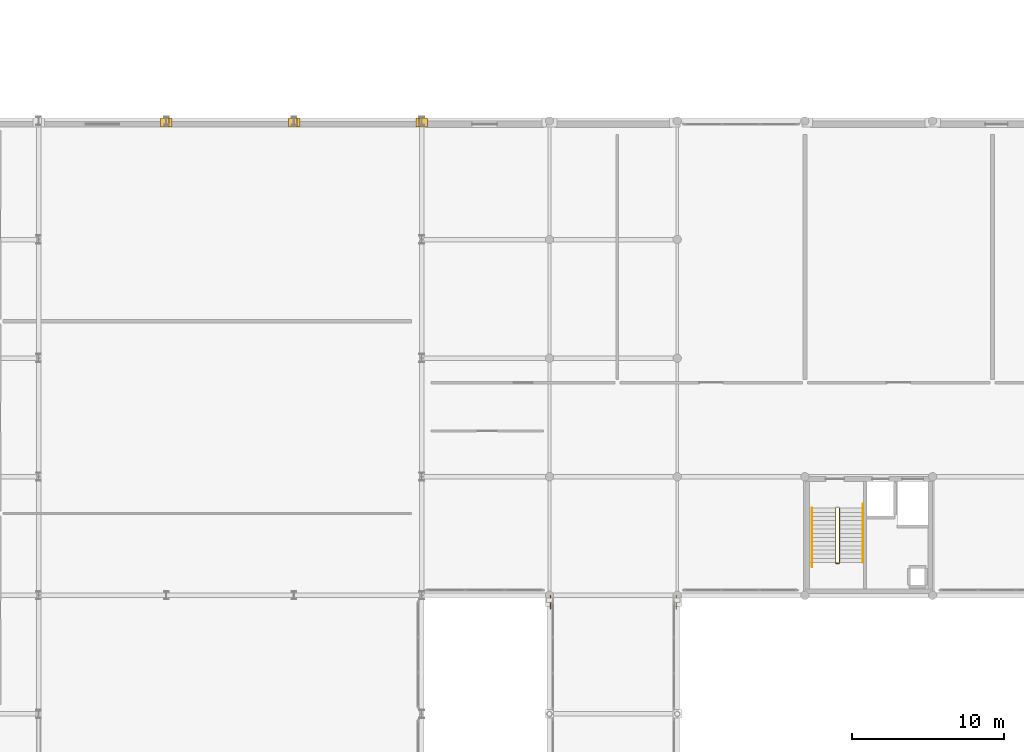
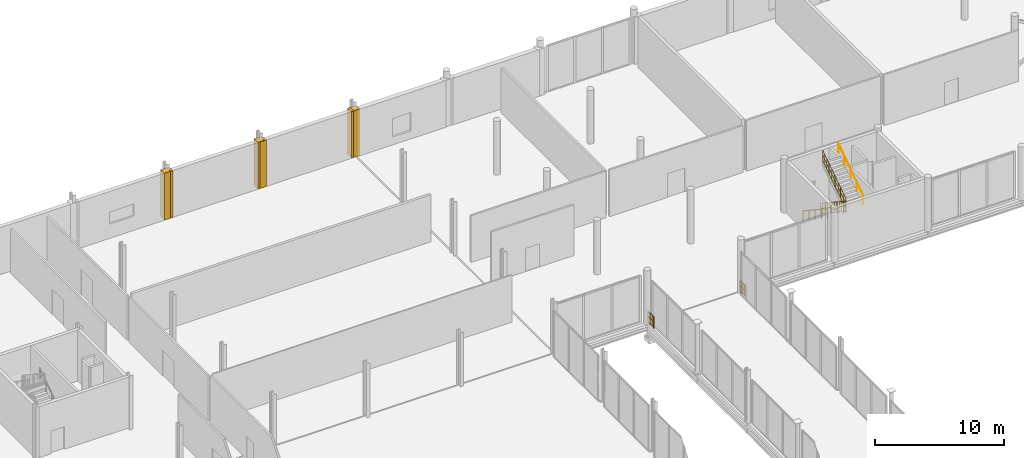
# One storey, part 100 of 105: 7 railings, 6 coverings.
"""IFC4 building model written with IfcOpenShell, lengths in metres."""

from ifc_helpers import new_model, si_unit, direction, frame, origin, origin_2d, place, context, subcontext, project, spatial, polyline, circle, outline, extrude, material, layer, layer_set, type_object, element, save


model = new_model("IFC4")

# Units and contexts
model_context = context("Model", 3, precision=1e-05, world=origin(), true_north=direction((0.0, 1.0)))
body_context = subcontext(model_context, "Body", "Model", "MODEL_VIEW")
ifc_project = project(units=[si_unit("LENGTHUNIT", "METRE"), si_unit("AREAUNIT", "SQUARE_METRE"), si_unit("VOLUMEUNIT", "CUBIC_METRE"), si_unit("PLANEANGLEUNIT", "RADIAN"), si_unit("MASSUNIT", "GRAM", prefix="KILO")], contexts=[model_context])

# Site, building, storey
site_placement = place(None, origin())
site = spatial("IfcSite", under=ifc_project, at=site_placement, CompositionType="ELEMENT")
building_placement = place(site_placement, origin())
building = spatial("IfcBuilding", under=site, at=building_placement, Name="Nabrawat Pavilion Hospital", CompositionType="ELEMENT")
storey_placement = place(building_placement, frame((0.0, 0.0, 5.10009765625)))
storey = spatial("IfcBuildingStorey", under=building, at=storey_placement, Name="L01", CompositionType="ELEMENT", Elevation=5.10009765625)

# Coverings
ifc_material_1 = material(Name="Precast concrete C40/50", Category="concrete")
ifc_layer_1 = layer(ifc_material_1, 0.360107421875, Name="Precast concrete C40/50")
ifc_layer_set_1 = layer_set([ifc_layer_1], Name="Precast concrete C40/50")
covering_type = type_object("IfcCoveringType", Name="Architectural Precast Column-Jamb Closure Reveal", PredefinedType="CLADDING", material=ifc_layer_set_1)
covering_1_placement = place(storey_placement, origin())
element("IfcCovering", 1, at=covering_1_placement, inside=storey, type_object=covering_type, Name="L01 Precast Facade Column-Jamb Weatherseal Closure 0216", PredefinedType="CLADDING", context=body_context, shape_type="SweptSolid", body=[
    extrude(outline(polyline([(42.179931640625, 116.60009765625), (42.179931640625, 117.179931640625), (41.6201171875, 117.179931640625), (41.6201171875, 116.60009765625), (42.179931640625, 116.60009765625)])), origin(), (0.0, 0.0, 1.0), 4.449951171875),
])
covering_2_placement = place(storey_placement, origin())
element("IfcCovering", 2, at=covering_2_placement, inside=storey, type_object=covering_type, Name="L01 Precast Facade Column-Jamb Weatherseal Closure 0217", PredefinedType="CLADDING", context=body_context, shape_type="SweptSolid", body=[
    extrude(outline(polyline([(42.3798828125, 116.60009765625), (42.3798828125, 117.179931640625), (41.820068359375, 117.179931640625), (41.820068359375, 116.60009765625), (42.3798828125, 116.60009765625)])), origin(), (0.0, 0.0, 1.0), 4.449951171875),
])
covering_3_placement = place(storey_placement, origin())
element("IfcCovering", 3, at=covering_3_placement, inside=storey, type_object=covering_type, Name="L01 Precast Facade Column-Jamb Weatherseal Closure 0218", PredefinedType="CLADDING", context=body_context, shape_type="SweptSolid", body=[
    extrude(outline(polyline([(50.580078125, 116.60009765625), (50.580078125, 117.179931640625), (50.02001953125, 117.179931640625), (50.02001953125, 116.60009765625), (50.580078125, 116.60009765625)])), origin(), (0.0, 0.0, 1.0), 4.449951171875),
])
covering_4_placement = place(storey_placement, origin())
element("IfcCovering", 4, at=covering_4_placement, inside=storey, type_object=covering_type, Name="L01 Precast Facade Column-Jamb Weatherseal Closure 0219", PredefinedType="CLADDING", context=body_context, shape_type="SweptSolid", body=[
    extrude(outline(polyline([(50.780029296875, 116.60009765625), (50.780029296875, 117.179931640625), (50.219970703125, 117.179931640625), (50.219970703125, 116.60009765625), (50.780029296875, 116.60009765625)])), origin(), (0.0, 0.0, 1.0), 4.419921875),
])
covering_5_placement = place(storey_placement, origin())
element("IfcCovering", 5, at=covering_5_placement, inside=storey, type_object=covering_type, Name="L01 Precast Facade Column-Jamb Weatherseal Closure 0220", PredefinedType="CLADDING", context=body_context, shape_type="SweptSolid", body=[
    extrude(outline(polyline([(58.97998046875, 116.60009765625), (58.97998046875, 117.179931640625), (58.419921875, 117.179931640625), (58.419921875, 116.60009765625), (58.97998046875, 116.60009765625)])), origin(), (0.0, 0.0, 1.0), 4.419921875),
])
covering_6_placement = place(storey_placement, origin())
element("IfcCovering", 6, at=covering_6_placement, inside=storey, type_object=covering_type, Name="L01 Precast Facade Column-Jamb Weatherseal Closure 0225", PredefinedType="CLADDING", context=body_context, shape_type="SweptSolid", body=[
    extrude(outline(polyline([(59.179931640625, 116.60009765625), (59.179931640625, 117.179931640625), (58.6201171875, 117.179931640625), (58.6201171875, 116.60009765625), (59.179931640625, 116.60009765625)])), origin(), (0.0, 0.0, 1.0), 4.419921875),
])

# Railings
ifc_material_2 = material(Name="Stainless Steel 316", Category="steel")
ifc_layer_2 = layer(ifc_material_2, 0.070068359375, Name="Stainless Steel 316")
ifc_layer_set_2 = layer_set([ifc_layer_2], Name="Stainless Steel 316")
railing_type_1 = type_object("IfcRailingType", Name="Exterior Clinical Terrace Safety Guardrail 1100", PredefinedType="GUARDRAIL", material=ifc_layer_set_2)
for number, where, name in (
    (7, (67.260009765625, 84.89990234375, 0.0), "L01 Courtyard Seismic Joint Corner Guardrail 06"),
    (8, (75.5400390625, 84.89990234375, 0.0), "L01 Courtyard Seismic Joint Corner Guardrail 07"),
):
    element("IfcRailing", number, at=place(storey_placement, frame(where)), inside=storey, type_object=railing_type_1, Name=name, PredefinedType="GUARDRAIL", context=body_context, shape_type="SweptSolid", body=[
        extrude(circle(Radius=0.02392578125, at=origin_2d()), frame((0.0, 0.0, 1.09619140625), z_axis=(0.0, 1.0, 0.0), x_axis=(-1.0, 0.0, 0.0)), (0.0, 0.0, 1.0), 0.900146484375),
        extrude(circle(Radius=0.02392578125, at=origin_2d()), frame((0.0, 0.0, 0.10009765625), z_axis=(0.0, 1.0, 0.0), x_axis=(-1.0, 0.0, 0.0)), (0.0, 0.0, 1.0), 0.900146484375),
        extrude(circle(Radius=0.02392578125, at=origin_2d()), frame((0.0, 0.0, 0.615966796875), z_axis=(0.0, 1.0, 0.0), x_axis=(-1.0, 0.0, 0.0)), (0.0, 0.0, 1.0), 0.900146484375),
        extrude(circle(Radius=0.008056640625, at=origin_2d()), frame((0.0, 0.22509765625, 0.10009765625)), (0.0, 0.0, 1.0), 0.971923828125),
        extrude(circle(Radius=0.008056640625, at=origin_2d()), frame((0.0, 0.4501953125, 0.10009765625)), (0.0, 0.0, 1.0), 0.971923828125),
        extrude(circle(Radius=0.008056640625, at=origin_2d()), frame((0.0, 0.675048828125, 0.10009765625)), (0.0, 0.0, 1.0), 0.971923828125),
        extrude(circle(Radius=0.02099609375, at=origin_2d()), origin(), (0.0, 0.0, 1.0), 1.072021484375),
        extrude(circle(Radius=0.02099609375, at=origin_2d()), frame((0.0, 0.900146484375, 0.0)), (0.0, 0.0, 1.0), 1.072021484375),
    ])
ifc_layer_3 = layer(ifc_material_2, 0.050048828125, Name="Stainless Steel 316")
ifc_layer_set_3 = layer_set([ifc_layer_3], Name="Stainless Steel 316")
railing_type_2 = type_object("IfcRailingType", Name="Stair Open-Well Safety Guardrail 1100", PredefinedType="GUARDRAIL", material=ifc_layer_set_3)
railing_1_placement = place(storey_placement, frame((86.02490234375, 91.530029296875, 0.18212890625)))
element("IfcRailing", 9, at=railing_1_placement, inside=storey, type_object=railing_type_2, Name="L01 ST-03 stair guard 1", PredefinedType="GUARDRAIL", context=body_context, shape_type="SweptSolid", body=[
    extrude(circle(Radius=0.02392578125, at=origin_2d()), frame((0.0, 0.0, 1.076171875), z_axis=(0.0, -0.833728300892, 0.552174900092), x_axis=(1.0, 0.0, 0.0)), (0.0, 0.0, 1.0), 4.287841796875),
    extrude(circle(Radius=0.02392578125, at=origin_2d()), frame((0.0, 0.0, 0.10009765625), z_axis=(0.0, -0.833728300892, 0.552174900092), x_axis=(1.0, 0.0, 0.0)), (0.0, 0.0, 1.0), 4.287841796875),
    extrude(circle(Radius=0.02392578125, at=origin_2d()), frame((0.0, 0.0, 0.60498046875), z_axis=(0.0, -0.833728300892, 0.552174900092), x_axis=(1.0, 0.0, 0.0)), (0.0, 0.0, 1.0), 4.287841796875),
    extrude(circle(Radius=0.008056640625, at=origin_2d()), frame((0.0, -0.19873046875, 0.2314453125)), (0.0, 0.0, 1.0), 0.951904296875),
    extrude(circle(Radius=0.008056640625, at=origin_2d()), frame((0.0, -0.397216796875, 0.363037109375)), (0.0, 0.0, 1.0), 0.951904296875),
    extrude(circle(Radius=0.008056640625, at=origin_2d()), frame((0.0, -0.595703125, 0.49462890625)), (0.0, 0.0, 1.0), 0.951904296875),
    extrude(circle(Radius=0.008056640625, at=origin_2d()), frame((0.0, -0.79443359375, 0.626220703125)), (0.0, 0.0, 1.0), 0.951904296875),
    extrude(circle(Radius=0.008056640625, at=origin_2d()), frame((0.0, -0.9931640625, 0.757568359375)), (0.0, 0.0, 1.0), 0.951904296875),
    extrude(circle(Radius=0.008056640625, at=origin_2d()), frame((0.0, -1.191650390625, 0.88916015625)), (0.0, 0.0, 1.0), 0.951904296875),
    extrude(circle(Radius=0.008056640625, at=origin_2d()), frame((0.0, -1.39013671875, 1.020751953125)), (0.0, 0.0, 1.0), 0.951904296875),
    extrude(circle(Radius=0.008056640625, at=origin_2d()), frame((0.0, -1.5888671875, 1.15234375)), (0.0, 0.0, 1.0), 0.951904296875),
    extrude(circle(Radius=0.008056640625, at=origin_2d()), frame((0.0, -1.986083984375, 1.415283203125)), (0.0, 0.0, 1.0), 0.951904296875),
    extrude(circle(Radius=0.008056640625, at=origin_2d()), frame((0.0, -2.1845703125, 1.546875)), (0.0, 0.0, 1.0), 0.951904296875),
    extrude(circle(Radius=0.008056640625, at=origin_2d()), frame((0.0, -2.38330078125, 1.678466796875)), (0.0, 0.0, 1.0), 0.951904296875),
    extrude(circle(Radius=0.008056640625, at=origin_2d()), frame((0.0, -2.58203125, 1.81005859375)), (0.0, 0.0, 1.0), 0.951904296875),
    extrude(circle(Radius=0.008056640625, at=origin_2d()), frame((0.0, -2.780517578125, 1.94140625)), (0.0, 0.0, 1.0), 0.951904296875),
    extrude(circle(Radius=0.008056640625, at=origin_2d()), frame((0.0, -2.97900390625, 2.072998046875)), (0.0, 0.0, 1.0), 0.951904296875),
    extrude(circle(Radius=0.008056640625, at=origin_2d()), frame((0.0, -3.177734375, 2.20458984375)), (0.0, 0.0, 1.0), 0.951904296875),
    extrude(circle(Radius=0.008056640625, at=origin_2d()), frame((0.0, -3.37646484375, 2.336181640625)), (0.0, 0.0, 1.0), 0.951904296875),
    extrude(circle(Radius=0.02099609375, at=origin_2d()), origin(), (0.0, 0.0, 1.0), 1.052001953125),
    extrude(circle(Radius=0.02099609375, at=origin_2d()), frame((0.0, -0.893798828125, 0.591796875)), (0.0, 0.0, 1.0), 1.052001953125),
    extrude(circle(Radius=0.02099609375, at=origin_2d()), frame((0.0, -1.78759765625, 1.183837890625)), (0.0, 0.0, 1.0), 1.052001953125),
    extrude(circle(Radius=0.02099609375, at=origin_2d()), frame((0.0, -2.68115234375, 1.77587890625)), (0.0, 0.0, 1.0), 1.052001953125),
    extrude(circle(Radius=0.02099609375, at=origin_2d()), frame((0.0, -3.574951171875, 2.36767578125)), (0.0, 0.0, 1.0), 1.052001953125),
])
railing_2_placement = place(storey_placement, frame((86.050048828125, 87.905029296875, 2.5498046875)))
element("IfcRailing", 10, at=railing_2_placement, inside=storey, type_object=railing_type_2, Name="L01 ST-03 stair guard 2", PredefinedType="GUARDRAIL", context=body_context, shape_type="SweptSolid", body=[
    extrude(circle(Radius=0.02392578125, at=origin_2d()), frame((0.0, 0.0, 1.076171875), z_axis=(1.0, 0.0, 0.0), x_axis=(0.0, 1.0, 0.0)), (0.0, 0.0, 1.0), 0.199951171875),
    extrude(circle(Radius=0.02392578125, at=origin_2d()), frame((0.0, 0.0, 0.10009765625), z_axis=(1.0, 0.0, 0.0), x_axis=(0.0, 1.0, 0.0)), (0.0, 0.0, 1.0), 0.199951171875),
    extrude(circle(Radius=0.02392578125, at=origin_2d()), frame((0.0, 0.0, 0.60498046875), z_axis=(1.0, 0.0, 0.0), x_axis=(0.0, 1.0, 0.0)), (0.0, 0.0, 1.0), 0.199951171875),
    extrude(circle(Radius=0.008056640625, at=origin_2d()), frame((0.10009765625, 0.0, 0.10009765625)), (0.0, 0.0, 1.0), 0.951904296875),
    extrude(circle(Radius=0.02099609375, at=origin_2d()), origin(), (0.0, 0.0, 1.0), 1.052001953125),
    extrude(circle(Radius=0.02099609375, at=origin_2d()), frame((0.199951171875, 0.0, 0.0)), (0.0, 0.0, 1.0), 1.052001953125),
])
railing_3_placement = place(storey_placement, frame((86.27490234375, 87.955078125, 2.73193359375)))
element("IfcRailing", 11, at=railing_3_placement, inside=storey, type_object=railing_type_2, Name="L01 ST-03 stair guard 3", PredefinedType="GUARDRAIL", context=body_context, shape_type="SweptSolid", body=[
    extrude(circle(Radius=0.02392578125, at=origin_2d()), frame((0.0, 0.0, 1.076171875), z_axis=(0.0, 0.833702089047, 0.552214475289), x_axis=(-1.0, 0.0, 0.0)), (0.0, 0.0, 1.0), 4.2880859375),
    extrude(circle(Radius=0.02392578125, at=origin_2d()), frame((0.0, 0.0, 0.10009765625), z_axis=(0.0, 0.833702089047, 0.552214475289), x_axis=(-1.0, 0.0, 0.0)), (0.0, 0.0, 1.0), 4.2880859375),
    extrude(circle(Radius=0.02392578125, at=origin_2d()), frame((0.0, 0.0, 0.60498046875), z_axis=(0.0, 0.833702089047, 0.552214475289), x_axis=(-1.0, 0.0, 0.0)), (0.0, 0.0, 1.0), 4.2880859375),
    extrude(circle(Radius=0.008056640625, at=origin_2d()), frame((0.0, 0.19873046875, 0.2314453125)), (0.0, 0.0, 1.0), 0.951904296875),
    extrude(circle(Radius=0.008056640625, at=origin_2d()), frame((0.0, 0.397216796875, 0.363037109375)), (0.0, 0.0, 1.0), 0.951904296875),
    extrude(circle(Radius=0.008056640625, at=origin_2d()), frame((0.0, 0.595703125, 0.49462890625)), (0.0, 0.0, 1.0), 0.951904296875),
    extrude(circle(Radius=0.008056640625, at=origin_2d()), frame((0.0, 0.79443359375, 0.626220703125)), (0.0, 0.0, 1.0), 0.951904296875),
    extrude(circle(Radius=0.008056640625, at=origin_2d()), frame((0.0, 0.9931640625, 0.7578125)), (0.0, 0.0, 1.0), 0.951904296875),
    extrude(circle(Radius=0.008056640625, at=origin_2d()), frame((0.0, 1.191650390625, 0.889404296875)), (0.0, 0.0, 1.0), 0.951904296875),
    extrude(circle(Radius=0.008056640625, at=origin_2d()), frame((0.0, 1.39013671875, 1.020751953125)), (0.0, 0.0, 1.0), 0.951904296875),
    extrude(circle(Radius=0.008056640625, at=origin_2d()), frame((0.0, 1.5888671875, 1.15234375)), (0.0, 0.0, 1.0), 0.951904296875),
    extrude(circle(Radius=0.008056640625, at=origin_2d()), frame((0.0, 1.986083984375, 1.41552734375)), (0.0, 0.0, 1.0), 0.951904296875),
    extrude(circle(Radius=0.008056640625, at=origin_2d()), frame((0.0, 2.1845703125, 1.547119140625)), (0.0, 0.0, 1.0), 0.951904296875),
    extrude(circle(Radius=0.008056640625, at=origin_2d()), frame((0.0, 2.38330078125, 1.6787109375)), (0.0, 0.0, 1.0), 0.951904296875),
    extrude(circle(Radius=0.008056640625, at=origin_2d()), frame((0.0, 2.58203125, 1.81005859375)), (0.0, 0.0, 1.0), 0.951904296875),
    extrude(circle(Radius=0.008056640625, at=origin_2d()), frame((0.0, 2.780517578125, 1.941650390625)), (0.0, 0.0, 1.0), 0.951904296875),
    extrude(circle(Radius=0.008056640625, at=origin_2d()), frame((0.0, 2.97900390625, 2.0732421875)), (0.0, 0.0, 1.0), 0.951904296875),
    extrude(circle(Radius=0.008056640625, at=origin_2d()), frame((0.0, 3.177734375, 2.204833984375)), (0.0, 0.0, 1.0), 0.951904296875),
    extrude(circle(Radius=0.008056640625, at=origin_2d()), frame((0.0, 3.37646484375, 2.33642578125)), (0.0, 0.0, 1.0), 0.951904296875),
    extrude(circle(Radius=0.02099609375, at=origin_2d()), origin(), (0.0, 0.0, 1.0), 1.052001953125),
    extrude(circle(Radius=0.02099609375, at=origin_2d()), frame((0.0, 0.893798828125, 0.592041015625)), (0.0, 0.0, 1.0), 1.052001953125),
    extrude(circle(Radius=0.02099609375, at=origin_2d()), frame((0.0, 1.78759765625, 1.18408203125)), (0.0, 0.0, 1.0), 1.052001953125),
    extrude(circle(Radius=0.02099609375, at=origin_2d()), frame((0.0, 2.68115234375, 1.77587890625)), (0.0, 0.0, 1.0), 1.052001953125),
    extrude(circle(Radius=0.02099609375, at=origin_2d()), frame((0.0, 3.574951171875, 2.367919921875)), (0.0, 0.0, 1.0), 1.052001953125),
])
ifc_layer_4 = layer(ifc_material_2, 0.044921875, Name="Stainless Steel 316")
ifc_layer_set_4 = layer_set([ifc_layer_4], Name="Stainless Steel 316")
railing_type_3 = type_object("IfcRailingType", Name="Stair Pitch Continuous Handrail 920", PredefinedType="HANDRAIL", material=ifc_layer_set_4)
railing_4_placement = place(storey_placement, frame((84.47509765625, 91.530029296875, 0.18603515625)))
element("IfcRailing", 12, at=railing_4_placement, inside=storey, type_object=railing_type_3, Name="L01 ST-03 stair handrail 1", PredefinedType="HANDRAIL", context=body_context, shape_type="SweptSolid", body=[
    extrude(circle(Radius=0.02392578125, at=origin_2d()), frame((0.0, 0.0, 0.89599609375), z_axis=(0.0, -0.833713881912, 0.552196670677), x_axis=(1.0, 0.0, 0.0)), (0.0, 0.0, 1.0), 4.617919921875),
    extrude(circle(Radius=0.02099609375, at=origin_2d()), origin(), (0.0, 0.0, 1.0), 0.871826171875),
    extrude(circle(Radius=0.02099609375, at=origin_2d()), frame((0.0, -0.96240234375, 0.637451171875)), (0.0, 0.0, 1.0), 0.871826171875),
    extrude(circle(Radius=0.02099609375, at=origin_2d()), frame((0.0, -1.925048828125, 1.27490234375)), (0.0, 0.0, 1.0), 0.871826171875),
    extrude(circle(Radius=0.02099609375, at=origin_2d()), frame((0.0, -2.8876953125, 1.91259765625)), (0.0, 0.0, 1.0), 0.871826171875),
    extrude(circle(Radius=0.02099609375, at=origin_2d()), frame((0.0, -3.85009765625, 2.550048828125)), (0.0, 0.0, 1.0), 0.871826171875),
])
railing_5_placement = place(storey_placement, frame((87.824951171875, 87.955078125, 2.736083984375)))
element("IfcRailing", 13, at=railing_5_placement, inside=storey, type_object=railing_type_3, Name="L01 ST-03 stair handrail 2", PredefinedType="HANDRAIL", context=body_context, shape_type="SweptSolid", body=[
    extrude(circle(Radius=0.02392578125, at=origin_2d()), frame((0.0, 0.0, 0.89599609375), z_axis=(0.0, 0.833697760554, 0.552221010146), x_axis=(-1.0, 0.0, 0.0)), (0.0, 0.0, 1.0), 4.617919921875),
    extrude(circle(Radius=0.02099609375, at=origin_2d()), origin(), (0.0, 0.0, 1.0), 0.871826171875),
    extrude(circle(Radius=0.02099609375, at=origin_2d()), frame((0.0, 0.96240234375, 0.637451171875)), (0.0, 0.0, 1.0), 0.871826171875),
    extrude(circle(Radius=0.02099609375, at=origin_2d()), frame((0.0, 1.9248046875, 1.27490234375)), (0.0, 0.0, 1.0), 0.871826171875),
    extrude(circle(Radius=0.02099609375, at=origin_2d()), frame((0.0, 2.887451171875, 1.91259765625)), (0.0, 0.0, 1.0), 0.871826171875),
    extrude(circle(Radius=0.02099609375, at=origin_2d()), frame((0.0, 3.849853515625, 2.550048828125)), (0.0, 0.0, 1.0), 0.871826171875),
])

save(model, "model.ifc")
